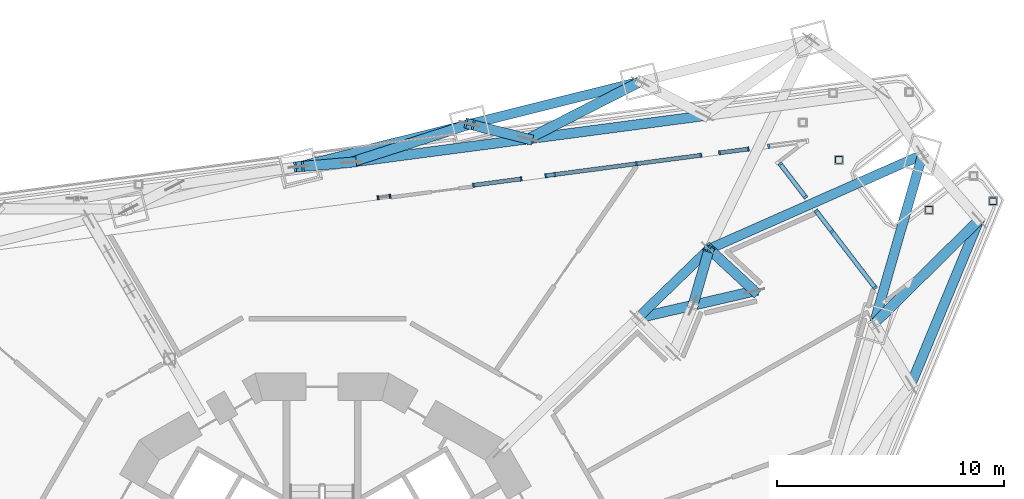
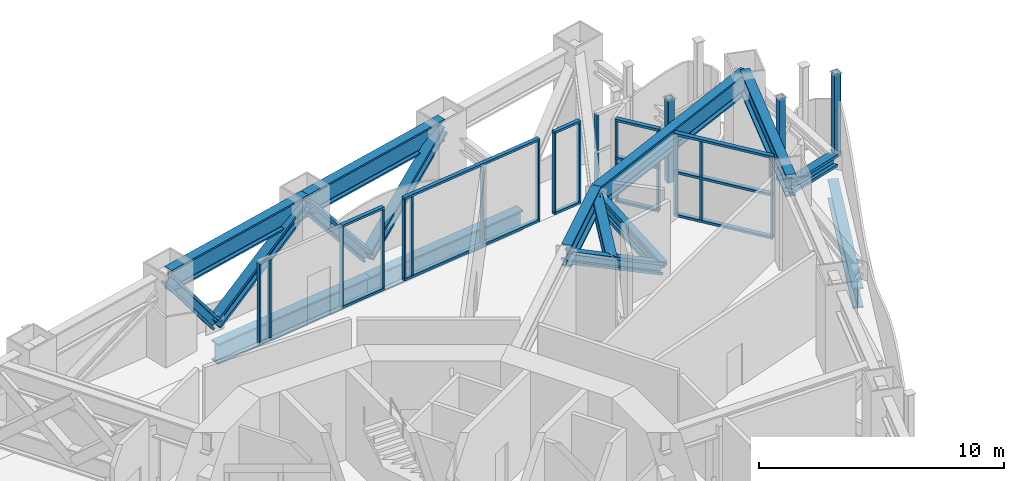
# One storey, part 9 of 31: 51 members, 2 beams, 7 elements without a shape of their own.
"""IFC4 building model written with IfcOpenShell, lengths in metres."""

from ifc_helpers import new_model, si_unit, direction, frame, origin, origin_2d, place, context, subcontext, project, spatial, rectangle, hollow_rectangle, i_section, extrude, material, layer, layer_set, material_profile, profile_set, type_object, element, aggregate, save


model = new_model("IFC4")

# Units and contexts
model_context = context("Model", 3, precision=1e-05, world=origin(), true_north=direction((0.0, 1.0)))
body_context = subcontext(model_context, "Body", "Model", "MODEL_VIEW")
ifc_project = project(units=[si_unit("LENGTHUNIT", "METRE"), si_unit("AREAUNIT", "SQUARE_METRE"), si_unit("VOLUMEUNIT", "CUBIC_METRE"), si_unit("PLANEANGLEUNIT", "RADIAN"), si_unit("MASSUNIT", "GRAM", prefix="KILO")], contexts=[model_context])

# Site, building, storey
site_placement = place(None, origin())
site = spatial("IfcSite", under=ifc_project, at=site_placement, CompositionType="ELEMENT")
building_placement = place(site_placement, origin())
building = spatial("IfcBuilding", under=site, at=building_placement, Name="Trine Commons Tower", CompositionType="ELEMENT")
storey_placement = place(building_placement, frame((0.0, 0.0, 82.800048828125)))
storey = spatial("IfcBuildingStorey", under=building, at=storey_placement, Name="L20", CompositionType="ELEMENT", Elevation=82.800048828125)

# Curtain wall, members
ifc_material_1 = material(Name="Plant louvre wall: anodised aluminium frame with anodised aluminium louvre blades", Category="aluminium")
ifc_layer_1 = layer(ifc_material_1, 0.199951171875)
ifc_layer_set_1 = layer_set([ifc_layer_1], Name="Plant louvre wall: anodised aluminium frame with anodised aluminium louvre blades")
curtain_wall_type_1 = type_object("IfcCurtainWallType", Name="Plant louvre wall curtain wall CW7", PredefinedType="NOTDEFINED", material=ifc_layer_set_1)
curtain_wall_1_placement = place(storey_placement, origin())
curtain_wall_1 = element("IfcCurtainWall", 1, at=curtain_wall_1_placement, inside=storey, type_object=curtain_wall_type_1, Name="Plant louvre wall L20 F1.5", PredefinedType="NOTDEFINED")
ifc_material_2 = material(Name="Anodised aluminium, bronze finish", Category="aluminium")
ifc_material_profile_1 = material_profile(ifc_material_2, rectangle(XDim=0.199951171875, YDim=0.10009765625, at=origin_2d()), Name="Mullion 100x200")
ifc_profile_set_1 = profile_set([ifc_material_profile_1], Name="Anodised aluminium, bronze finish")
member_type_1 = type_object("IfcMemberType", Name="Mullion 100x200, Anodised aluminium, bronze finish", PredefinedType="MULLION", material=ifc_profile_set_1)
member_1_placement = place(storey_placement, frame((99.708251953125, 83.529052734375, 0.119873046875), z_axis=(0.0, 0.0, 1.0), x_axis=(-0.13052619222, 0.991444861374, 0.0)))
member_1 = element("IfcMember", 2, at=member_1_placement, type_object=member_type_1, Name="CW7 mullion 1.1", PredefinedType="MULLION", context=body_context, shape_type="SweptSolid", body=[
    extrude(rectangle(XDim=0.199951171875, YDim=0.10009765625, at=origin_2d()), origin(), (0.0, 0.0, 1.0), 2.02001953125),
])
member_2_placement = place(storey_placement, frame((99.708251953125, 83.529052734375, 2.260009765625), z_axis=(0.0, 0.0, 1.0), x_axis=(-0.13052619222, 0.991444861374, 0.0)))
member_2 = element("IfcMember", 3, at=member_2_placement, type_object=member_type_1, Name="CW7 mullion 1.2", PredefinedType="MULLION", context=body_context, shape_type="SweptSolid", body=[
    extrude(rectangle(XDim=0.199951171875, YDim=0.10009765625, at=origin_2d()), origin(), (0.0, 0.0, 1.0), 1.77001953125),
])
aggregate(curtain_wall_1, [member_1, member_2])

curtain_wall_2_placement = place(storey_placement, origin())
curtain_wall_2 = element("IfcCurtainWall", 4, at=curtain_wall_2_placement, inside=storey, type_object=curtain_wall_type_1, Name="Plant louvre wall L20 P2.1", PredefinedType="NOTDEFINED")
member_3_placement = place(storey_placement, frame((100.21142578125, 82.735595703125, 0.119873046875), z_axis=(0.0, 0.0, 1.0), x_axis=(0.793353340291, 0.608761429009, 0.0)))
member_3 = element("IfcMember", 5, at=member_3_placement, type_object=member_type_1, Name="CW7 mullion 1.1", PredefinedType="MULLION", context=body_context, shape_type="SweptSolid", body=[
    extrude(rectangle(XDim=0.199951171875, YDim=0.10009765625, at=origin_2d()), origin(), (0.0, 0.0, 1.0), 2.02001953125),
])
member_4_placement = place(storey_placement, frame((100.21142578125, 82.735595703125, 2.260009765625), z_axis=(0.0, 0.0, 1.0), x_axis=(0.793353340291, 0.608761429009, 0.0)))
member_4 = element("IfcMember", 6, at=member_4_placement, type_object=member_type_1, Name="CW7 mullion 1.2", PredefinedType="MULLION", context=body_context, shape_type="SweptSolid", body=[
    extrude(rectangle(XDim=0.199951171875, YDim=0.10009765625, at=origin_2d()), origin(), (0.0, 0.0, 1.0), 1.77001953125),
])
member_5_placement = place(storey_placement, frame((101.329345703125, 81.27880859375, 0.119873046875), z_axis=(0.0, 0.0, 1.0), x_axis=(0.793353340291, 0.608761429009, 0.0)))
member_5 = element("IfcMember", 7, at=member_5_placement, type_object=member_type_1, Name="CW7 mullion 2.1", PredefinedType="MULLION", context=body_context, shape_type="SweptSolid", body=[
    extrude(rectangle(XDim=0.199951171875, YDim=0.10009765625, at=origin_2d()), origin(), (0.0, 0.0, 1.0), 2.02001953125),
])
member_6_placement = place(storey_placement, frame((101.329345703125, 81.27880859375, 2.260009765625), z_axis=(0.0, 0.0, 1.0), x_axis=(0.793353340291, 0.608761429009, 0.0)))
member_6 = element("IfcMember", 8, at=member_6_placement, type_object=member_type_1, Name="CW7 mullion 2.2", PredefinedType="MULLION", context=body_context, shape_type="SweptSolid", body=[
    extrude(rectangle(XDim=0.199951171875, YDim=0.10009765625, at=origin_2d()), origin(), (0.0, 0.0, 1.0), 1.77001953125),
])

curtain_wall_3_placement = place(storey_placement, origin())
curtain_wall_3 = element("IfcCurtainWall", 9, at=curtain_wall_3_placement, inside=storey, type_object=curtain_wall_type_1, Name="Plant louvre wall L20 P2.2", PredefinedType="NOTDEFINED")
member_7_placement = place(storey_placement, frame((101.797119140625, 80.66943359375, 0.119873046875), z_axis=(0.0, 0.0, 1.0), x_axis=(0.793353340291, 0.608761429009, 0.0)))
member_7 = element("IfcMember", 10, at=member_7_placement, type_object=member_type_1, Name="CW7 mullion 1.1", PredefinedType="MULLION", context=body_context, shape_type="SweptSolid", body=[
    extrude(rectangle(XDim=0.199951171875, YDim=0.10009765625, at=origin_2d()), origin(), (0.0, 0.0, 1.0), 2.02001953125),
])
member_8_placement = place(storey_placement, frame((101.797119140625, 80.66943359375, 2.260009765625), z_axis=(0.0, 0.0, 1.0), x_axis=(0.793353340291, 0.608761429009, 0.0)))
member_8 = element("IfcMember", 11, at=member_8_placement, type_object=member_type_1, Name="CW7 mullion 1.2", PredefinedType="MULLION", context=body_context, shape_type="SweptSolid", body=[
    extrude(rectangle(XDim=0.199951171875, YDim=0.10009765625, at=origin_2d()), origin(), (0.0, 0.0, 1.0), 1.77001953125),
])
member_9_placement = place(storey_placement, frame((102.494384765625, 79.760498046875, 0.119873046875), z_axis=(0.0, 0.0, 1.0), x_axis=(0.793353340291, 0.608761429009, 0.0)))
member_9 = element("IfcMember", 12, at=member_9_placement, type_object=member_type_1, Name="CW7 mullion 2.1", PredefinedType="MULLION", context=body_context, shape_type="SweptSolid", body=[
    extrude(rectangle(XDim=0.199951171875, YDim=0.10009765625, at=origin_2d()), origin(), (0.0, 0.0, 1.0), 2.02001953125),
])
member_10_placement = place(storey_placement, frame((102.494384765625, 79.760498046875, 2.260009765625), z_axis=(0.0, 0.0, 1.0), x_axis=(0.793353340291, 0.608761429009, 0.0)))
member_10 = element("IfcMember", 13, at=member_10_placement, type_object=member_type_1, Name="CW7 mullion 2.2", PredefinedType="MULLION", context=body_context, shape_type="SweptSolid", body=[
    extrude(rectangle(XDim=0.199951171875, YDim=0.10009765625, at=origin_2d()), origin(), (0.0, 0.0, 1.0), 1.77001953125),
])
member_11_placement = place(storey_placement, frame((104.3974609375, 77.280517578125, 0.119873046875), z_axis=(0.0, 0.0, 1.0), x_axis=(0.793353340291, 0.608761429009, 0.0)))
member_11 = element("IfcMember", 14, at=member_11_placement, type_object=member_type_1, Name="CW7 mullion 3.1", PredefinedType="MULLION", context=body_context, shape_type="SweptSolid", body=[
    extrude(rectangle(XDim=0.199951171875, YDim=0.10009765625, at=origin_2d()), origin(), (0.0, 0.0, 1.0), 2.02001953125),
])
member_12_placement = place(storey_placement, frame((104.3974609375, 77.280517578125, 2.260009765625), z_axis=(0.0, 0.0, 1.0), x_axis=(0.793353340291, 0.608761429009, 0.0)))
member_12 = element("IfcMember", 15, at=member_12_placement, type_object=member_type_1, Name="CW7 mullion 3.2", PredefinedType="MULLION", context=body_context, shape_type="SweptSolid", body=[
    extrude(rectangle(XDim=0.199951171875, YDim=0.10009765625, at=origin_2d()), origin(), (0.0, 0.0, 1.0), 1.77001953125),
])

ifc_material_3 = material(Name="Sky lounge glazing: anodised aluminium frame with low-emissivity double glazed unit, solar control", Category="aluminium")
ifc_layer_2 = layer(ifc_material_3, 0.179931640625)
ifc_layer_set_2 = layer_set([ifc_layer_2], Name="Sky lounge glazing: anodised aluminium frame with low-emissivity double glazed unit, solar control")
curtain_wall_type_2 = type_object("IfcCurtainWallType", Name="Sky lounge glazing curtain wall CW5", PredefinedType="NOTDEFINED", material=ifc_layer_set_2)
curtain_wall_4_placement = place(storey_placement, origin())
curtain_wall_4 = element("IfcCurtainWall", 16, at=curtain_wall_4_placement, inside=storey, type_object=curtain_wall_type_2, Name="Sky lounge glazing L20 F1.1", PredefinedType="NOTDEFINED")
ifc_material_profile_2 = material_profile(ifc_material_2, rectangle(XDim=0.179931640625, YDim=0.074951171875, at=origin_2d()), Name="Mullion 75x180")
ifc_profile_set_2 = profile_set([ifc_material_profile_2], Name="Anodised aluminium, bronze finish")
member_type_2 = type_object("IfcMemberType", Name="Mullion 75x180, Anodised aluminium, bronze finish", PredefinedType="MULLION", material=ifc_profile_set_2)
member_13_placement = place(storey_placement, frame((82.468994140625, 81.24951171875, 0.10986328125), z_axis=(0.0, 0.0, 1.0), x_axis=(-0.13052619222, 0.991444861374, 0.0)))
member_13 = element("IfcMember", 17, at=member_13_placement, type_object=member_type_2, Name="CW5 mullion 1.1", PredefinedType="MULLION", context=body_context, shape_type="SweptSolid", body=[
    extrude(rectangle(XDim=0.179931640625, YDim=0.074951171875, at=origin_2d()), origin(), (0.0, 0.0, 1.0), 3.93017578125),
])
member_14_placement = place(storey_placement, frame((82.99755859375, 81.319091796875, 0.10986328125), z_axis=(0.0, 0.0, 1.0), x_axis=(-0.13052619222, 0.991444861374, 0.0)))
member_14 = element("IfcMember", 18, at=member_14_placement, type_object=member_type_2, Name="CW5 mullion 2.1", PredefinedType="MULLION", context=body_context, shape_type="SweptSolid", body=[
    extrude(rectangle(XDim=0.179931640625, YDim=0.074951171875, at=origin_2d()), origin(), (0.0, 0.0, 1.0), 3.93017578125),
])
aggregate(curtain_wall_4, [member_13, member_14])

curtain_wall_5_placement = place(storey_placement, origin())
curtain_wall_5 = element("IfcCurtainWall", 19, at=curtain_wall_5_placement, inside=storey, type_object=curtain_wall_type_2, Name="Sky lounge glazing L20 F1.2", PredefinedType="NOTDEFINED")
member_15_placement = place(storey_placement, frame((86.684326171875, 81.804443359375, 0.10986328125), z_axis=(0.0, 0.0, 1.0), x_axis=(-0.13052619222, 0.991444861374, 0.0)))
member_15 = element("IfcMember", 20, at=member_15_placement, type_object=member_type_2, Name="CW5 mullion 1.1", PredefinedType="MULLION", context=body_context, shape_type="SweptSolid", body=[
    extrude(rectangle(XDim=0.179931640625, YDim=0.074951171875, at=origin_2d()), origin(), (0.0, 0.0, 1.0), 3.93017578125),
])
member_16_placement = place(storey_placement, frame((88.777587890625, 82.080078125, 0.10986328125), z_axis=(0.0, 0.0, 1.0), x_axis=(-0.13052619222, 0.991444861374, 0.0)))
member_16 = element("IfcMember", 21, at=member_16_placement, type_object=member_type_2, Name="CW5 mullion 2.1", PredefinedType="MULLION", context=body_context, shape_type="SweptSolid", body=[
    extrude(rectangle(XDim=0.179931640625, YDim=0.074951171875, at=origin_2d()), origin(), (0.0, 0.0, 1.0), 3.93017578125),
])

curtain_wall_6_placement = place(storey_placement, origin())
curtain_wall_6 = element("IfcCurtainWall", 22, at=curtain_wall_6_placement, inside=storey, type_object=curtain_wall_type_2, Name="Sky lounge glazing L20 F1.3", PredefinedType="NOTDEFINED")
member_17_placement = place(storey_placement, frame((89.875, 82.224609375, 0.10986328125), z_axis=(0.0, 0.0, 1.0), x_axis=(-0.13052619222, 0.991444861374, 0.0)))
member_17 = element("IfcMember", 23, at=member_17_placement, type_object=member_type_2, Name="CW5 mullion 1.1", PredefinedType="MULLION", context=body_context, shape_type="SweptSolid", body=[
    extrude(rectangle(XDim=0.179931640625, YDim=0.074951171875, at=origin_2d()), origin(), (0.0, 0.0, 1.0), 3.93017578125),
])
member_18_placement = place(storey_placement, frame((90.259521484375, 82.275146484375, 0.10986328125), z_axis=(0.0, 0.0, 1.0), x_axis=(-0.13052619222, 0.991444861374, 0.0)))
member_18 = element("IfcMember", 24, at=member_18_placement, type_object=member_type_2, Name="CW5 mullion 2.1", PredefinedType="MULLION", context=body_context, shape_type="SweptSolid", body=[
    extrude(rectangle(XDim=0.179931640625, YDim=0.074951171875, at=origin_2d()), origin(), (0.0, 0.0, 1.0), 3.93017578125),
])
member_19_placement = place(storey_placement, frame((93.8720703125, 82.750732421875, 0.10986328125), z_axis=(0.0, 0.0, 1.0), x_axis=(-0.13052619222, 0.991444861374, 0.0)))
member_19 = element("IfcMember", 25, at=member_19_placement, type_object=member_type_2, Name="CW5 mullion 3.1", PredefinedType="MULLION", context=body_context, shape_type="SweptSolid", body=[
    extrude(rectangle(XDim=0.179931640625, YDim=0.074951171875, at=origin_2d()), origin(), (0.0, 0.0, 1.0), 3.93017578125),
])
member_20_placement = place(storey_placement, frame((96.707275390625, 83.123779296875, 0.10986328125), z_axis=(0.0, 0.0, 1.0), x_axis=(-0.13052619222, 0.991444861374, 0.0)))
member_20 = element("IfcMember", 26, at=member_20_placement, type_object=member_type_2, Name="CW5 mullion 4.1", PredefinedType="MULLION", context=body_context, shape_type="SweptSolid", body=[
    extrude(rectangle(XDim=0.179931640625, YDim=0.074951171875, at=origin_2d()), origin(), (0.0, 0.0, 1.0), 3.93017578125),
])

curtain_wall_7_placement = place(storey_placement, origin())
curtain_wall_7 = element("IfcCurtainWall", 27, at=curtain_wall_7_placement, inside=storey, type_object=curtain_wall_type_2, Name="Sky lounge glazing L20 F1.4", PredefinedType="NOTDEFINED")
member_21_placement = place(storey_placement, frame((97.542236328125, 83.23388671875, 0.10986328125), z_axis=(0.0, 0.0, 1.0), x_axis=(-0.13052619222, 0.991444861374, 0.0)))
member_21 = element("IfcMember", 28, at=member_21_placement, type_object=member_type_2, Name="CW5 mullion 1.1", PredefinedType="MULLION", context=body_context, shape_type="SweptSolid", body=[
    extrude(rectangle(XDim=0.179931640625, YDim=0.074951171875, at=origin_2d()), origin(), (0.0, 0.0, 1.0), 3.93017578125),
])
member_22_placement = place(storey_placement, frame((98.79736328125, 83.399169921875, 0.10986328125), z_axis=(0.0, 0.0, 1.0), x_axis=(-0.13052619222, 0.991444861374, 0.0)))
member_22 = element("IfcMember", 29, at=member_22_placement, type_object=member_type_2, Name="CW5 mullion 2.1", PredefinedType="MULLION", context=body_context, shape_type="SweptSolid", body=[
    extrude(rectangle(XDim=0.179931640625, YDim=0.074951171875, at=origin_2d()), origin(), (0.0, 0.0, 1.0), 3.93017578125),
])

# Beams
ifc_material_4 = material(Name="Structural steel ASTM A992 Gr50", Category="steel")
ifc_material_profile_3 = material_profile(ifc_material_4, i_section(OverallWidth=0.42529296875, OverallDepth=1.09228515625, WebThickness=0.04541015625, FlangeThickness=0.08203125, FilletRadius=0.030029296875, at=origin_2d()), Name="W40X593")
ifc_profile_set_3 = profile_set([ifc_material_profile_3], Name="Structural steel ASTM A992 Gr50")
beam_type = type_object("IfcBeamType", Name="Steel beam W40X593, ASTM A992 Gr50", PredefinedType="BEAM", material=ifc_profile_set_3)
beam_1_placement = place(storey_placement, frame((106.4873046875, 83.15087890625, 3.603759765625), z_axis=(-0.914616007668, -0.404323581452, 0.0), x_axis=(0.404323581452, -0.914616007668, 0.0)))
element("IfcBeam", 30, at=beam_1_placement, inside=storey, type_object=beam_type, Name="Transfer truss girder T2-UV-04", PredefinedType="BEAM", context=body_context, shape_type="SweptSolid", body=[
    extrude(i_section(OverallWidth=0.42529296875, OverallDepth=1.09228515625, WebThickness=0.04541015625, FlangeThickness=0.08203125, FilletRadius=0.030029296875, at=origin_2d()), origin(), (0.0, 0.0, 1.0), 10.2890625),
])
beam_2_placement = place(storey_placement, frame((93.917724609375, 75.940185546875, 3.603759765625), z_axis=(0.719341107609, 0.694657016738, 0.0), x_axis=(-0.694657016738, 0.719341107609, 0.0)))
element("IfcBeam", 31, at=beam_2_placement, inside=storey, type_object=beam_type, Name="Transfer truss girder T2-UR-04", PredefinedType="BEAM", context=body_context, shape_type="SweptSolid", body=[
    extrude(i_section(OverallWidth=0.42529296875, OverallDepth=1.09228515625, WebThickness=0.04541015625, FlangeThickness=0.08203125, FilletRadius=0.030029296875, at=origin_2d()), origin(), (0.0, 0.0, 1.0), 4.391357421875),
])

# Members
ifc_material_profile_4 = material_profile(ifc_material_4, i_section(OverallWidth=0.44775390625, OverallDepth=0.54931640625, WebThickness=0.072021484375, FlangeThickness=0.11474609375, FilletRadius=0.01513671875, at=origin_2d()), Name="W14X665")
ifc_profile_set_4 = profile_set([ifc_material_profile_4], Name="Structural steel ASTM A992 Gr50")
member_type_3 = type_object("IfcMemberType", Name="Steel brace W14X665, ASTM A992 Gr50", PredefinedType="BRACE", material=ifc_profile_set_4)
member_23_placement = place(storey_placement, frame((81.2890625, 82.81884765625, 0.504638671875), z_axis=(-0.596478650813, -0.051362913547, 0.800983813966), x_axis=(0.085792741638, -0.996313005778, 0.0)))
element("IfcMember", 32, at=member_23_placement, inside=storey, type_object=member_type_3, Name="Belt truss brace T2-DG-25", PredefinedType="BRACE", context=body_context, shape_type="SweptSolid", body=[
    extrude(i_section(OverallWidth=0.44775390625, OverallDepth=0.54931640625, WebThickness=0.072021484375, FlangeThickness=0.11474609375, FilletRadius=0.01513671875, at=origin_2d()), origin(), (0.0, 0.0, 1.0), 3.869140625),
])
member_24_placement = place(storey_placement, frame((89.08251953125, 83.844970703125, 0.504638671875), z_axis=(-0.630752804232, 0.159722115639, 0.759367990983), x_axis=(-0.245476550843, -0.969402528873, 0.0)))
element("IfcMember", 33, at=member_24_placement, inside=storey, type_object=member_type_3, Name="Belt truss brace T2-DG-27", PredefinedType="BRACE", context=body_context, shape_type="SweptSolid", body=[
    extrude(i_section(OverallWidth=0.44775390625, OverallDepth=0.54931640625, WebThickness=0.072021484375, FlangeThickness=0.11474609375, FilletRadius=0.01513671875, at=origin_2d()), origin(), (0.0, 0.0, 1.0), 4.081298828125),
])
member_25_placement = place(storey_placement, frame((81.2890625, 82.81884765625, 0.504638671875), z_axis=(0.828757402799, 0.266444458295, 0.492106205965), x_axis=(-0.306069722976, 0.952009099052, 0.0)))
element("IfcMember", 34, at=member_25_placement, inside=storey, type_object=member_type_3, Name="Belt truss brace T2-DG-28", PredefinedType="BRACE", context=body_context, shape_type="SweptSolid", body=[
    extrude(i_section(OverallWidth=0.44775390625, OverallDepth=0.54931640625, WebThickness=0.072021484375, FlangeThickness=0.11474609375, FilletRadius=0.01513671875, at=origin_2d()), origin(), (0.0, 0.0, 1.0), 6.297607421875),
])
member_26_placement = place(storey_placement, frame((89.08251953125, 83.844970703125, 0.504638671875), z_axis=(0.777989554637, 0.397182324512, 0.486804328218), x_axis=(-0.454696396467, 0.890646499482, 0.0)))
element("IfcMember", 35, at=member_26_placement, inside=storey, type_object=member_type_3, Name="Belt truss brace T2-DG-30", PredefinedType="BRACE", context=body_context, shape_type="SweptSolid", body=[
    extrude(i_section(OverallWidth=0.44775390625, OverallDepth=0.54931640625, WebThickness=0.072021484375, FlangeThickness=0.11474609375, FilletRadius=0.01513671875, at=origin_2d()), origin(), (0.0, 0.0, 1.0), 6.3662109375),
])
member_27_placement = place(storey_placement, frame((108.984375, 80.272705078125, 0.504638671875), z_axis=(-0.642467688417, -0.634617448584, 0.429529932942), x_axis=(0.702746920463, -0.711439924224, 0.0)))
element("IfcMember", 36, at=member_27_placement, inside=storey, type_object=member_type_3, Name="Belt truss brace T2-DG-36", PredefinedType="BRACE", context=body_context, shape_type="SweptSolid", body=[
    extrude(i_section(OverallWidth=0.44775390625, OverallDepth=0.54931640625, WebThickness=0.072021484375, FlangeThickness=0.11474609375, FilletRadius=0.01513671875, at=origin_2d()), origin(), (0.0, 0.0, 1.0), 7.215087890625),
])
member_28_placement = place(storey_placement, frame((99.071044921875, 77.1337890625, 0.504638671875), z_axis=(-0.840570927302, -0.194691645991, 0.505505370057), x_axis=(0.225644822279, -0.974209635643, 0.0)))
element("IfcMember", 37, at=member_28_placement, inside=storey, type_object=member_type_3, Name="Belt truss brace T2-DG-54", PredefinedType="BRACE", context=body_context, shape_type="SweptSolid", body=[
    extrude(i_section(OverallWidth=0.44775390625, OverallDepth=0.54931640625, WebThickness=0.072021484375, FlangeThickness=0.11474609375, FilletRadius=0.01513671875, at=origin_2d()), origin(), (0.0, 0.0, 1.0), 6.130859375),
])
member_29_placement = place(storey_placement, frame((99.071044921875, 77.1337890625, 0.504638671875), z_axis=(-0.483278512792, 0.449971400208, 0.750977774683), x_axis=(-0.681436731432, -0.73187702591, 0.0)))
element("IfcMember", 38, at=member_29_placement, inside=storey, type_object=member_type_3, Name="Belt truss brace T2-DG-55", PredefinedType="BRACE", context=body_context, shape_type="SweptSolid", body=[
    extrude(i_section(OverallWidth=0.44775390625, OverallDepth=0.54931640625, WebThickness=0.072021484375, FlangeThickness=0.11474609375, FilletRadius=0.01513671875, at=origin_2d()), origin(), (0.0, 0.0, 1.0), 4.126708984375),
])
member_30_placement = place(storey_placement, frame((96.361572265625, 76.506103515625, 2.13427734375), z_axis=(0.240454852312, 0.835475941269, 0.494126922521), x_axis=(-0.96099121858, 0.276578881716, 0.0)))
element("IfcMember", 39, at=member_30_placement, inside=storey, type_object=member_type_3, Name="Belt truss brace T2-DG-56b", PredefinedType="BRACE", context=body_context, shape_type="SweptSolid", body=[
    extrude(i_section(OverallWidth=0.44775390625, OverallDepth=0.54931640625, WebThickness=0.072021484375, FlangeThickness=0.11474609375, FilletRadius=0.01513671875, at=origin_2d()), origin(), (0.0, 0.0, 1.0), 2.973876953125),
])
ifc_material_profile_5 = material_profile(ifc_material_4, i_section(OverallWidth=0.43798828125, OverallDepth=1.009521484375, WebThickness=0.041015625, FlangeThickness=0.073974609375, FilletRadius=0.024169921875, at=origin_2d()), Name="W36X529")
ifc_profile_set_5 = profile_set([ifc_material_profile_5], Name="Structural steel ASTM A992 Gr50")
member_type_4 = type_object("IfcMemberType", Name="Steel chord W36X529, ASTM A992 Gr50", PredefinedType="CHORD", material=ifc_profile_set_5)
member_31_placement = place(storey_placement, frame((81.2890625, 82.81884765625, -0.954833984375), z_axis=(0.991443297931, 0.130538067201, 0.0), x_axis=(-0.130538067201, 0.991443297931, 0.0)))
element("IfcMember", 40, at=member_31_placement, inside=storey, type_object=member_type_4, Name="Belt truss chord T2-LC-12", PredefinedType="CHORD", context=body_context, shape_type="SweptSolid", body=[
    extrude(i_section(OverallWidth=0.43798828125, OverallDepth=1.009521484375, WebThickness=0.041015625, FlangeThickness=0.073974609375, FilletRadius=0.024169921875, at=origin_2d()), origin(), (0.0, 0.0, 1.0), 7.86083984375),
])
member_32_placement = place(storey_placement, frame((89.08251953125, 83.844970703125, -0.954833984375), z_axis=(0.991446788058, 0.130511556763, 0.0), x_axis=(-0.130511556763, 0.991446788058, 0.0)))
element("IfcMember", 41, at=member_32_placement, inside=storey, type_object=member_type_4, Name="Belt truss chord T2-LC-13", PredefinedType="CHORD", context=body_context, shape_type="SweptSolid", body=[
    extrude(i_section(OverallWidth=0.43798828125, OverallDepth=1.009521484375, WebThickness=0.041015625, FlangeThickness=0.073974609375, FilletRadius=0.024169921875, at=origin_2d()), origin(), (0.0, 0.0, 1.0), 7.8603515625),
])
member_33_placement = place(storey_placement, frame((108.984375, 80.272705078125, -0.954833984375), z_axis=(-0.382678219689, -0.923881691655, 0.0), x_axis=(0.923881691655, -0.382678219689, 0.0)))
element("IfcMember", 42, at=member_33_placement, inside=storey, type_object=member_type_4, Name="Belt truss chord T2-LC-15", PredefinedType="CHORD", context=body_context, shape_type="SweptSolid", body=[
    extrude(i_section(OverallWidth=0.43798828125, OverallDepth=1.009521484375, WebThickness=0.041015625, FlangeThickness=0.073974609375, FilletRadius=0.024169921875, at=origin_2d()), origin(), (0.0, 0.0, 1.0), 7.860595703125),
])
ifc_material_profile_6 = material_profile(ifc_material_4, i_section(OverallWidth=0.42529296875, OverallDepth=1.09228515625, WebThickness=0.04541015625, FlangeThickness=0.08203125, FilletRadius=0.030029296875, at=origin_2d()), Name="W40X593")
ifc_profile_set_6 = profile_set([ifc_material_profile_6], Name="Structural steel ASTM A992 Gr50")
member_type_5 = type_object("IfcMemberType", Name="Steel chord W40X593, ASTM A992 Gr50", PredefinedType="CHORD", material=ifc_profile_set_6)
for number, where, z_axis, x_axis, name in (
    (43, (78.981201171875, 82.6201171875, 3.603759765625), (0.970295960131, 0.241920957657, 0.0), (-0.241920957657, 0.970295960131, 0.0), "Belt truss chord T2-UC-12"),
    (44, (86.50830078125, 84.496826171875, 3.603759765625), (0.970295960131, 0.241920957657, 0.0), (-0.241920957657, 0.970295960131, 0.0), "Belt truss chord T2-UC-13"),
    (45, (106.4873046875, 83.15087890625, 3.603759765625), (-0.275656226957, -0.961256284526, 0.0), (0.961256284526, -0.275656226957, 0.0), "Belt truss chord T2-UC-15"),
):
    element("IfcMember", number, at=place(storey_placement, frame(where, z_axis=z_axis, x_axis=x_axis)), inside=storey, type_object=member_type_5, Name=name, PredefinedType="CHORD", context=body_context, shape_type="SweptSolid", body=[
        extrude(i_section(OverallWidth=0.42529296875, OverallDepth=1.09228515625, WebThickness=0.04541015625, FlangeThickness=0.08203125, FilletRadius=0.030029296875, at=origin_2d()), origin(), (0.0, 0.0, 1.0), 7.757568359375),
    ])
ifc_material_5 = material(Name="Structural steel ASTM A500 Gr C", Category="steel")
ifc_material_profile_7 = material_profile(ifc_material_5, hollow_rectangle(XDim=0.3046875, YDim=0.3046875, WallThickness=0.014892578125, InnerFilletRadius=0.00732421875, OuterFilletRadius=0.022216796875, at=origin_2d()), Name="HSS12X12X5/8")
ifc_profile_set_7 = profile_set([ifc_material_profile_7], Name="Structural steel ASTM A500 Gr C")
member_type_6 = type_object("IfcMemberType", Name="Steel post HSS12X12X5/8, ASTM A500 Gr C", PredefinedType="POST", material=ifc_profile_set_7)
for number, where, z_axis, x_axis, name in (
    (46, (102.802001953125, 82.9208984375, 0.0), (0.0, 0.0, 1.0), (1.0, 0.0, 0.0), "Roof post SP2-53"),
    (47, (109.597412109375, 81.09912109375, 0.0), (0.0, 0.0, 1.0), (1.0, 0.0, 0.0), "Roof post SP2-62"),
    (48, (106.77685546875, 80.714599609375, 0.0), (0.0, 0.0, 1.0), (1.0, 0.0, 0.0), "Roof post SP2-64"),
):
    element("IfcMember", number, at=place(storey_placement, frame(where, z_axis=z_axis, x_axis=x_axis)), inside=storey, type_object=member_type_6, Name=name, PredefinedType="POST", context=body_context, shape_type="SweptSolid", body=[
        extrude(hollow_rectangle(XDim=0.3046875, YDim=0.3046875, WallThickness=0.014892578125, InnerFilletRadius=0.00732421875, OuterFilletRadius=0.022216796875, at=origin_2d()), origin(), (0.0, 0.0, 1.0), 4.14990234375),
    ])

# Member
ifc_material_profile_8 = material_profile(ifc_material_2, rectangle(XDim=0.179931640625, YDim=0.110107421875, at=origin_2d()), Name="Transom 110x180")
ifc_profile_set_8 = profile_set([ifc_material_profile_8], Name="Anodised aluminium, bronze finish")
member_type_7 = type_object("IfcMemberType", Name="Transom 110x180, Anodised aluminium, bronze finish", PredefinedType="USERDEFINED", material=ifc_profile_set_8)
member_34_placement = place(storey_placement, frame((86.647216796875, 81.799560546875, 0.054931640625), z_axis=(0.991444030851, 0.130532500514, 0.0), x_axis=(-0.130532500514, 0.991444030851, 0.0)))
member_34 = element("IfcMember", 49, at=member_34_placement, type_object=member_type_7, Name="CW5 transom T00", ObjectType="TRANSOM", PredefinedType="USERDEFINED", context=body_context, shape_type="SweptSolid", body=[
    extrude(rectangle(XDim=0.179931640625, YDim=0.110107421875, at=origin_2d()), origin(), (0.0, 0.0, 1.0), 2.1865234375),
])

member_35_placement = place(storey_placement, frame((86.647216796875, 81.799560546875, 4.094970703125), z_axis=(0.991444030851, 0.130532500514, 0.0), x_axis=(-0.130532500514, 0.991444030851, 0.0)))
member_35 = element("IfcMember", 50, at=member_35_placement, type_object=member_type_7, Name="CW5 transom TH00", ObjectType="TRANSOM", PredefinedType="USERDEFINED", context=body_context, shape_type="SweptSolid", body=[
    extrude(rectangle(XDim=0.179931640625, YDim=0.110107421875, at=origin_2d()), origin(), (0.0, 0.0, 1.0), 2.1865234375),
])

aggregate(curtain_wall_5, [member_34, member_35, member_15, member_16])

member_36_placement = place(storey_placement, frame((89.837890625, 82.219482421875, 0.054931640625), z_axis=(0.991441765702, 0.130549704028, 0.0), x_axis=(-0.130549704028, 0.991441765702, 0.0)))
member_36 = element("IfcMember", 51, at=member_36_placement, type_object=member_type_7, Name="CW5 transom T00", ObjectType="TRANSOM", PredefinedType="USERDEFINED", context=body_context, shape_type="SweptSolid", body=[
    extrude(rectangle(XDim=0.179931640625, YDim=0.110107421875, at=origin_2d()), origin(), (0.0, 0.0, 1.0), 6.966064453125),
])

member_37_placement = place(storey_placement, frame((89.837890625, 82.219482421875, 4.094970703125), z_axis=(0.991441765702, 0.130549704028, 0.0), x_axis=(-0.130549704028, 0.991441765702, 0.0)))
member_37 = element("IfcMember", 52, at=member_37_placement, type_object=member_type_7, Name="CW5 transom TH00", ObjectType="TRANSOM", PredefinedType="USERDEFINED", context=body_context, shape_type="SweptSolid", body=[
    extrude(rectangle(XDim=0.179931640625, YDim=0.110107421875, at=origin_2d()), origin(), (0.0, 0.0, 1.0), 6.966064453125),
])

aggregate(curtain_wall_6, [member_36, member_37, member_17, member_18, member_19, member_20])

member_38_placement = place(storey_placement, frame((97.505126953125, 83.22900390625, 0.054931640625), z_axis=(0.991441275835, 0.130553424201, 0.0), x_axis=(-0.130553424201, 0.991441275835, 0.0)))
member_38 = element("IfcMember", 53, at=member_38_placement, type_object=member_type_7, Name="CW5 transom T00", ObjectType="TRANSOM", PredefinedType="USERDEFINED", context=body_context, shape_type="SweptSolid", body=[
    extrude(rectangle(XDim=0.179931640625, YDim=0.110107421875, at=origin_2d()), origin(), (0.0, 0.0, 1.0), 1.3408203125),
])

member_39_placement = place(storey_placement, frame((97.505126953125, 83.22900390625, 4.094970703125), z_axis=(0.991441275835, 0.130553424201, 0.0), x_axis=(-0.130553424201, 0.991441275835, 0.0)))
member_39 = element("IfcMember", 54, at=member_39_placement, type_object=member_type_7, Name="CW5 transom TH00", ObjectType="TRANSOM", PredefinedType="USERDEFINED", context=body_context, shape_type="SweptSolid", body=[
    extrude(rectangle(XDim=0.179931640625, YDim=0.110107421875, at=origin_2d()), origin(), (0.0, 0.0, 1.0), 1.3408203125),
])

aggregate(curtain_wall_7, [member_38, member_39, member_21, member_22])

ifc_material_profile_9 = material_profile(ifc_material_2, rectangle(XDim=0.199951171875, YDim=0.1201171875, at=origin_2d()), Name="Transom 120x200")
ifc_profile_set_9 = profile_set([ifc_material_profile_9], Name="Anodised aluminium, bronze finish")
member_type_8 = type_object("IfcMemberType", Name="Transom 120x200, Anodised aluminium, bronze finish", PredefinedType="USERDEFINED", material=ifc_profile_set_9)
member_40_placement = place(storey_placement, frame((100.18115234375, 82.775390625, 0.06005859375), z_axis=(0.608698837853, -0.793401364252, 0.0), x_axis=(0.793401364252, 0.608698837853, 0.0)))
member_40 = element("IfcMember", 55, at=member_40_placement, type_object=member_type_8, Name="CW7 transom T00", ObjectType="TRANSOM", PredefinedType="USERDEFINED", context=body_context, shape_type="SweptSolid", body=[
    extrude(rectangle(XDim=0.199951171875, YDim=0.1201171875, at=origin_2d()), origin(), (0.0, 0.0, 1.0), 1.9365234375),
])

member_41_placement = place(storey_placement, frame((100.18115234375, 82.775390625, 2.199951171875), z_axis=(0.608698837853, -0.793401364252, 0.0), x_axis=(0.793401364252, 0.608698837853, 0.0)))
member_41 = element("IfcMember", 56, at=member_41_placement, type_object=member_type_8, Name="CW7 transom T01", ObjectType="TRANSOM", PredefinedType="USERDEFINED", context=body_context, shape_type="SweptSolid", body=[
    extrude(rectangle(XDim=0.199951171875, YDim=0.1201171875, at=origin_2d()), origin(), (0.0, 0.0, 1.0), 1.9365234375),
])

member_42_placement = place(storey_placement, frame((100.18115234375, 82.775390625, 4.08984375), z_axis=(0.608698837853, -0.793401364252, 0.0), x_axis=(0.793401364252, 0.608698837853, 0.0)))
member_42 = element("IfcMember", 57, at=member_42_placement, type_object=member_type_8, Name="CW7 transom TH00", ObjectType="TRANSOM", PredefinedType="USERDEFINED", context=body_context, shape_type="SweptSolid", body=[
    extrude(rectangle(XDim=0.199951171875, YDim=0.1201171875, at=origin_2d()), origin(), (0.0, 0.0, 1.0), 1.9365234375),
])

aggregate(curtain_wall_2, [member_40, member_41, member_42, member_3, member_4, member_5, member_6])

member_43_placement = place(storey_placement, frame((101.7666015625, 80.708984375, 0.06005859375), z_axis=(0.608773830095, -0.793343824449, 0.0), x_axis=(0.793343824449, 0.608773830095, 0.0)))
member_43 = element("IfcMember", 58, at=member_43_placement, type_object=member_type_8, Name="CW7 transom T00", ObjectType="TRANSOM", PredefinedType="USERDEFINED", context=body_context, shape_type="SweptSolid", body=[
    extrude(rectangle(XDim=0.199951171875, YDim=0.1201171875, at=origin_2d()), origin(), (0.0, 0.0, 1.0), 4.37158203125),
])

member_44_placement = place(storey_placement, frame((101.7666015625, 80.708984375, 2.199951171875), z_axis=(0.608773830095, -0.793343824449, 0.0), x_axis=(0.793343824449, 0.608773830095, 0.0)))
member_44 = element("IfcMember", 59, at=member_44_placement, type_object=member_type_8, Name="CW7 transom T01", ObjectType="TRANSOM", PredefinedType="USERDEFINED", context=body_context, shape_type="SweptSolid", body=[
    extrude(rectangle(XDim=0.199951171875, YDim=0.1201171875, at=origin_2d()), origin(), (0.0, 0.0, 1.0), 4.37158203125),
])

member_45_placement = place(storey_placement, frame((101.7666015625, 80.708984375, 4.08984375), z_axis=(0.608773830095, -0.793343824449, 0.0), x_axis=(0.793343824449, 0.608773830095, 0.0)))
member_45 = element("IfcMember", 60, at=member_45_placement, type_object=member_type_8, Name="CW7 transom TH00", ObjectType="TRANSOM", PredefinedType="USERDEFINED", context=body_context, shape_type="SweptSolid", body=[
    extrude(rectangle(XDim=0.199951171875, YDim=0.1201171875, at=origin_2d()), origin(), (0.0, 0.0, 1.0), 4.37158203125),
])

aggregate(curtain_wall_3, [member_43, member_44, member_45, member_7, member_8, member_9, member_10, member_11, member_12])

save(model, "model.ifc")
